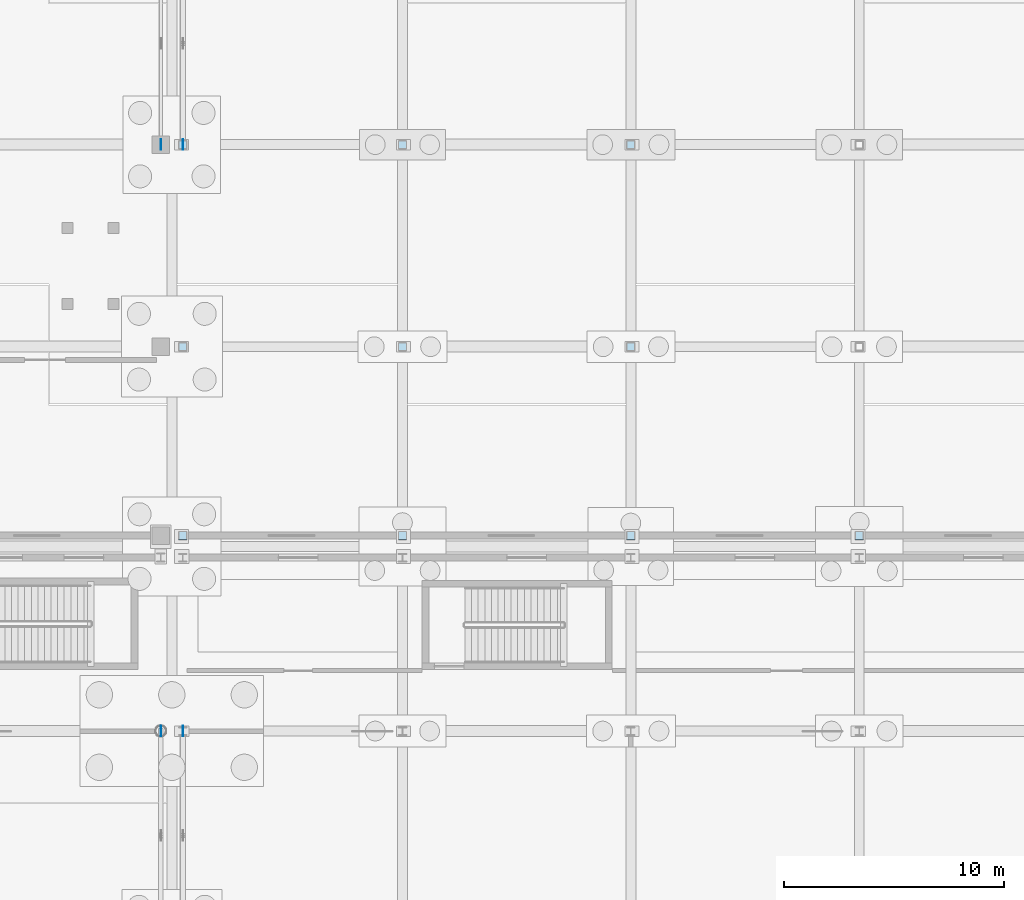
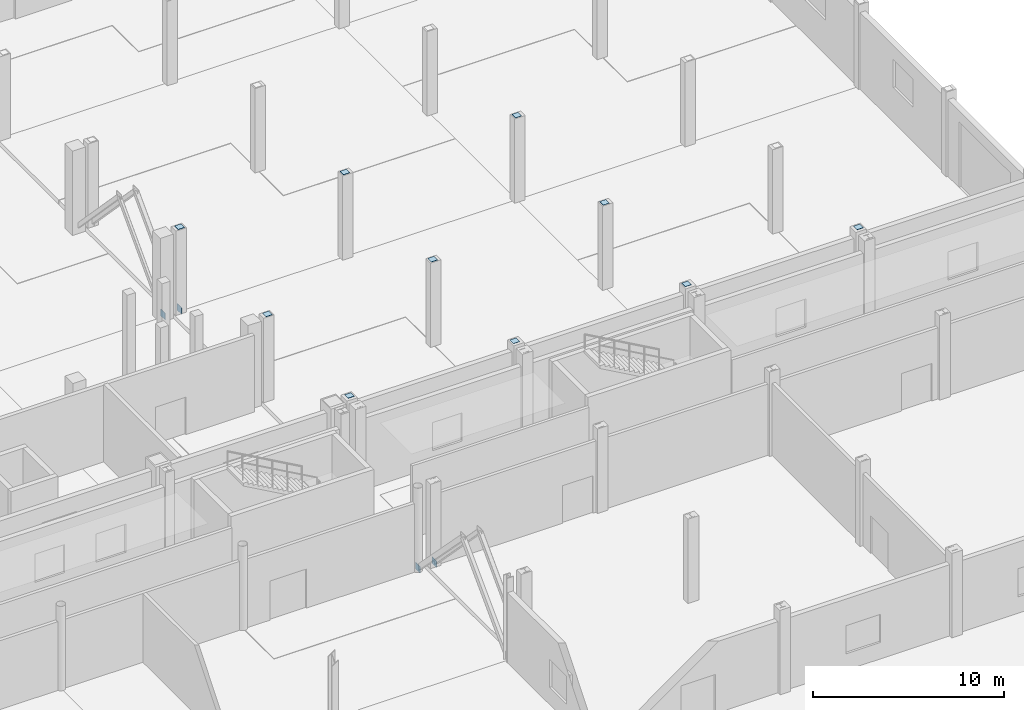
# One storey, part 47 of 83: 14 plates.
"""IFC4 building model written with IfcOpenShell, lengths in metres."""

from ifc_helpers import new_model, si_unit, direction, frame, origin, origin_2d, place, context, subcontext, project, spatial, rectangle, extrude, material, layer, layer_set, type_object, element, save


model = new_model("IFC4")

# Units and contexts
model_context = context("Model", 3, precision=1e-05, world=origin(), true_north=direction((0.0, 1.0)))
body_context = subcontext(model_context, "Body", "Model", "MODEL_VIEW")
ifc_project = project(units=[si_unit("LENGTHUNIT", "METRE"), si_unit("AREAUNIT", "SQUARE_METRE"), si_unit("VOLUMEUNIT", "CUBIC_METRE"), si_unit("PLANEANGLEUNIT", "RADIAN"), si_unit("MASSUNIT", "GRAM", prefix="KILO")], contexts=[model_context])

# Site, building, storey
site_placement = place(None, origin())
site = spatial("IfcSite", under=ifc_project, at=site_placement, CompositionType="ELEMENT")
building_placement = place(site_placement, origin())
building = spatial("IfcBuilding", under=site, at=building_placement, Name="Caurita Quay Ferry Terminal", CompositionType="ELEMENT")
storey_placement = place(building_placement, origin())
storey = spatial("IfcBuildingStorey", under=building, at=storey_placement, Name="L00", CompositionType="ELEMENT", Elevation=0.0)

# Plates
ifc_material = material(Name="Structural plate steel ASTM A572 Gr. 50", Category="steel")
ifc_layer = layer(ifc_material, 0.01806640625, Name="Structural steel connection plate 18 mm")
ifc_layer_set = layer_set([ifc_layer], Name="Structural plate steel ASTM A572 Gr. 50")
plate_type = type_object("IfcPlateType", Name="PLT-STL-18", PredefinedType="USERDEFINED", material=ifc_layer_set)
for number, where, z_axis, x_axis, name in (
    (1, (132.800048828125, 71.60009765625, 5.39892578125), (0.0, 0.0, 1.0), (1.0, 0.0, 0.0), "L00 Hollow Column End-Cap Plate V4-15-L"),
    (2, (132.800048828125, 80.199951171875, 5.39892578125), (0.0, 0.0, 1.0), (1.0, 0.0, 0.0), "L00 Hollow Column End-Cap Plate V4-15-M"),
    (3, (132.800048828125, 89.39990234375, 5.39892578125), (0.0, 0.0, 1.0), (1.0, 0.0, 0.0), "L00 Hollow Column End-Cap Plate V4-15-N"),
    (4, (142.800048828125, 71.60009765625, 5.39892578125), (0.0, 0.0, 1.0), (1.0, 0.0, 0.0), "L00 Hollow Column End-Cap Plate V4-16-L"),
    (5, (142.800048828125, 80.199951171875, 5.39892578125), (0.0, 0.0, 1.0), (1.0, 0.0, 0.0), "L00 Hollow Column End-Cap Plate V4-16-M"),
    (6, (142.800048828125, 89.39990234375, 5.39892578125), (0.0, 0.0, 1.0), (1.0, 0.0, 0.0), "L00 Hollow Column End-Cap Plate V4-16-N"),
    (7, (153.199951171875, 71.60009765625, 5.39892578125), (0.0, 0.0, 1.0), (1.0, 0.0, 0.0), "L00 Hollow Column End-Cap Plate V4-17-L"),
    (8, (153.199951171875, 80.199951171875, 5.39892578125), (0.0, 0.0, 1.0), (1.0, 0.0, 0.0), "L00 Hollow Column End-Cap Plate V4-17-M"),
    (9, (153.199951171875, 89.39990234375, 5.39892578125), (0.0, 0.0, 1.0), (1.0, 0.0, 0.0), "L00 Hollow Column End-Cap Plate V4-17-N"),
    (10, (163.60009765625, 71.60009765625, 5.39892578125), (0.0, 0.0, 1.0), (1.0, 0.0, 0.0), "L00 Hollow Column End-Cap Plate V4-18-L"),
):
    element("IfcPlate", number, at=place(storey_placement, frame(where, z_axis=z_axis, x_axis=x_axis)), inside=storey, type_object=plate_type, Name=name, ObjectType="GUSSET PLATE", PredefinedType="USERDEFINED", context=body_context, shape_type="SweptSolid", body=[
        extrude(rectangle(XDim=0.3798828125, YDim=0.3798828125, at=origin_2d()), origin(), (0.0, 0.0, 1.0), 0.01806640625),
    ])
for number, where, z_axis, x_axis, name in (
    (11, (131.800048828125, 62.699951171875, -0.06005859375), (0.0, 0.0, 1.0), (0.0, 1.0, 0.0), "L00 Seismic Brace Gusset 04-BSR"),
    (12, (132.800048828125, 62.699951171875, -0.06005859375), (0.0, 0.0, 1.0), (0.0, 1.0, 0.0), "L00 Seismic Brace Gusset 05-BSR"),
    (13, (131.800048828125, 89.39990234375, -0.06005859375), (0.0, 0.0, 1.0), (0.0, 1.0, 0.0), "L00 Seismic Brace Gusset 09-BSL"),
    (14, (132.800048828125, 89.39990234375, -0.06005859375), (0.0, 0.0, 1.0), (0.0, 1.0, 0.0), "L00 Seismic Brace Gusset 10-BSL"),
):
    element("IfcPlate", number, at=place(storey_placement, frame(where, z_axis=z_axis, x_axis=x_axis)), inside=storey, type_object=plate_type, Name=name, ObjectType="GUSSET PLATE", PredefinedType="USERDEFINED", context=body_context, shape_type="SweptSolid", body=[
        extrude(rectangle(XDim=0.47998046875, YDim=0.02490234375, at=origin_2d()), origin(), (0.0, 0.0, 1.0), 0.419921875),
    ])

save(model, "model.ifc")
